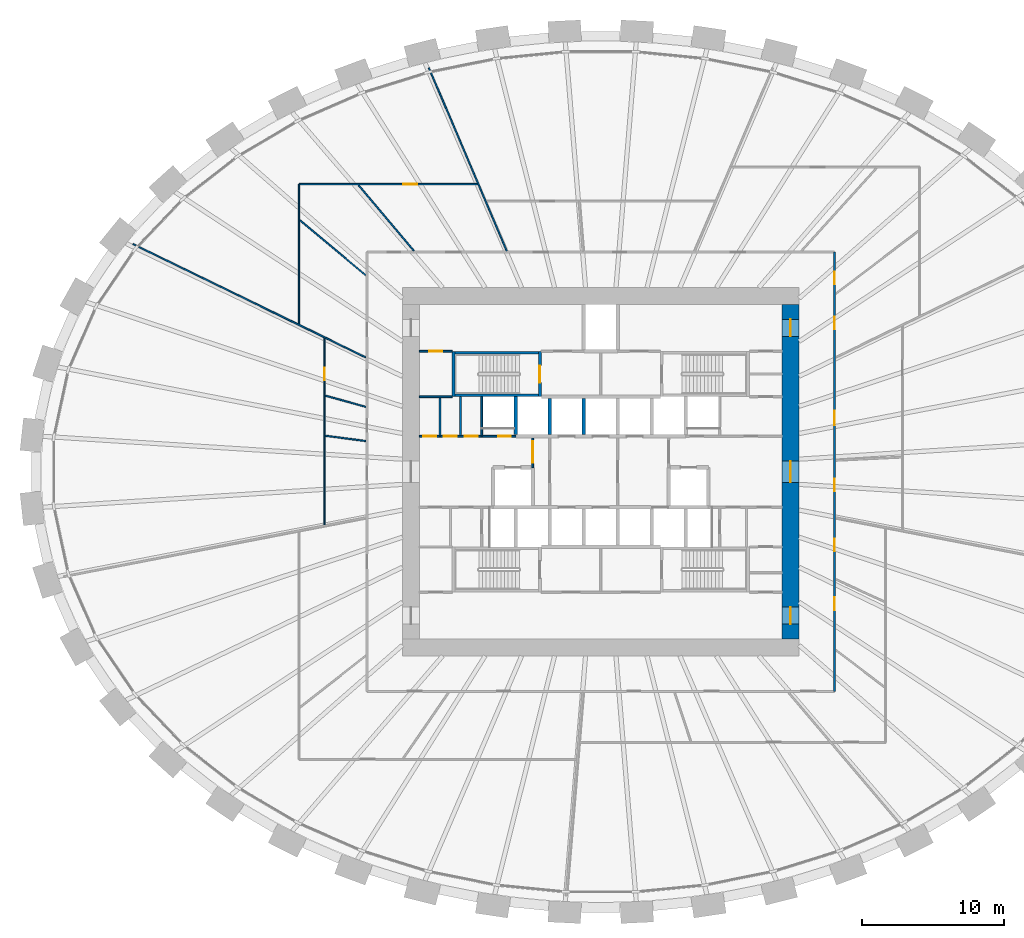
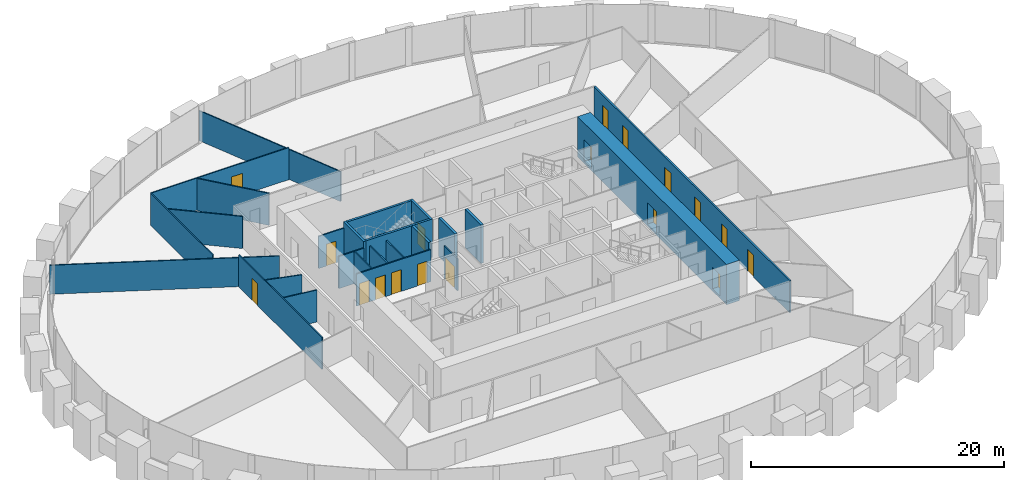
# One storey, part 8 of 11: 25 walls, 18 doors, 18 openings.
"""IFC4 building model written with IfcOpenShell, lengths in metres."""

from ifc_helpers import new_model, si_unit, direction, frame, frame_2d, origin, place, context, subcontext, project, spatial, rectangle, extrude, source, transform, mapped, material, layer, layer_set, type_object, element, fill, save


model = new_model("IFC4")

# Units and contexts
model_context = context("Model", 3, precision=1e-05, world=origin(), true_north=direction((0.0, 1.0)))
body_context = subcontext(model_context, "Body", "Model", "MODEL_VIEW")
ifc_project = project(units=[si_unit("LENGTHUNIT", "METRE"), si_unit("AREAUNIT", "SQUARE_METRE"), si_unit("VOLUMEUNIT", "CUBIC_METRE"), si_unit("PLANEANGLEUNIT", "RADIAN"), si_unit("MASSUNIT", "GRAM", prefix="KILO")], contexts=[model_context])

# Site, building, storey
site_placement = place(None, origin())
site = spatial("IfcSite", under=ifc_project, at=site_placement, CompositionType="ELEMENT")
building_placement = place(site_placement, origin())
building = spatial("IfcBuilding", under=site, at=building_placement, Name="Embergate Tower", CompositionType="ELEMENT")
storey_placement = place(building_placement, frame((0.0, 0.0, 113.300048828125)))
storey = spatial("IfcBuildingStorey", under=building, at=storey_placement, Name="L24", CompositionType="ELEMENT", Elevation=113.300048828125)

# Wall, openings, doors
ifc_material_1 = material(Name="Concrete C80", Category="concrete")
ifc_layer_1 = layer(ifc_material_1, 1.199951171875)
ifc_layer_set_1 = layer_set([ifc_layer_1], Name="Concrete C80")
wall_type_1 = type_object("IfcWallType", Name="Core outer wall C80 1200", PredefinedType="SHEAR", material=ifc_layer_set_1)
shared_shape_1 = source(origin(), body_context, "Body", "SweptSolid", [
    extrude(rectangle(XDim=23.60009765625, YDim=1.199951171875, at=frame_2d((11.800048828125, 0.0))), origin(), (0.0, 0.0, 1.0), 3.89990234375),
])
wall_1_placement = place(storey_placement, frame((13.39990234375, -11.800048828125, -0.199951171875), z_axis=(0.0, 0.0, 1.0), x_axis=(0.0, 1.0, 0.0)))
wall_1 = element("IfcWall", 1, at=wall_1_placement, inside=storey, type_object=wall_type_1, Name="CW-L24-E", PredefinedType="SHEAR", context=body_context, shape_type="MappedRepresentation", body=[
    mapped(shared_shape_1, transform((0.0, 0.0, 0.0))),
])
shared_shape_2 = source(origin(), body_context, "Body", "SweptSolid", [
    extrude(rectangle(XDim=1.199951171875, YDim=2.10009765625, at=frame_2d((0.60009765625, 1.050048828125))), frame((0.0, 0.60986328125, 0.0), z_axis=(0.0, -1.0, 0.0), x_axis=(1.0, 0.0, 0.0)), (0.0, 0.0, 1.0), 1.219970703125),
])
opening_1_placement = place(wall_1_placement, frame((21.35009765625, 0.0, 0.199951171875)))
opening_1 = element("IfcOpeningElement", 2, at=opening_1_placement, cuts=wall_1, Name="Opening IF-1", PredefinedType="OPENING", context=body_context, shape_type="MappedRepresentation", body=[
    mapped(shared_shape_2, transform((0.0, 0.0, 0.0))),
])
opening_2_placement = place(wall_1_placement, frame((1.050048828125, 0.0, 0.199951171875)))
opening_2 = element("IfcOpeningElement", 3, at=opening_2_placement, cuts=wall_1, Name="Opening IF-1", PredefinedType="OPENING", context=body_context, shape_type="MappedRepresentation", body=[
    mapped(shared_shape_2, transform((0.0, 0.0, 0.0))),
])
shared_shape_3 = source(origin(), body_context, "Body", "SweptSolid", [
    extrude(rectangle(XDim=1.5, YDim=2.10009765625, at=frame_2d((0.75, 1.050048828125))), frame((0.0, 0.60986328125, 0.0), z_axis=(0.0, -1.0, 0.0), x_axis=(1.0, 0.0, 0.0)), (0.0, 0.0, 1.0), 1.219970703125),
])
opening_3_placement = place(wall_1_placement, frame((11.050048828125, 0.0, 0.199951171875)))
opening_3 = element("IfcOpeningElement", 4, at=opening_3_placement, cuts=wall_1, Name="Opening IF-3", PredefinedType="OPENING", context=body_context, shape_type="MappedRepresentation", body=[
    mapped(shared_shape_3, transform((0.0, 0.0, 0.0))),
])
ifc_material_2 = material(Name="Escape fire door 1200")
door_type_1 = type_object("IfcDoorType", Name="Escape fire door 1200", OperationType="SINGLE_SWING_LEFT", PredefinedType="DOOR", material=ifc_material_2)
shared_shape_4 = source(origin(), body_context, "Body", "SweptSolid", [
    extrude(rectangle(XDim=1.199951171875, YDim=2.10009765625, at=frame_2d((0.60009765625, 1.050048828125))), frame((0.0, 0.02490234375, 0.0), z_axis=(0.0, -1.0, 0.0), x_axis=(1.0, 0.0, 0.0)), (0.0, 0.0, 1.0), 0.050048828125),
])
door_1_placement = place(opening_1_placement, origin())
door_1 = element("IfcDoor", 5, at=door_1_placement, inside=storey, type_object=door_type_1, Name="IF-1 door", OperationType="SINGLE_SWING_RIGHT", OverallHeight=2.10009765625, OverallWidth=1.199951171875, PredefinedType="DOOR", context=body_context, shape_type="MappedRepresentation", body=[
    mapped(shared_shape_4, transform((0.0, 0.0, 0.0))),
])
fill(opening_1, door_1)
door_2_placement = place(opening_2_placement, origin())
door_2 = element("IfcDoor", 6, at=door_2_placement, inside=storey, type_object=door_type_1, Name="IF-1 door", OperationType="SINGLE_SWING_LEFT", OverallHeight=2.10009765625, OverallWidth=1.199951171875, PredefinedType="DOOR", context=body_context, shape_type="MappedRepresentation", body=[
    mapped(shared_shape_4, transform((0.0, 0.0, 0.0))),
])
fill(opening_2, door_2)
ifc_material_3 = material(Name="Lobby fire door pair 1500")
door_type_2 = type_object("IfcDoorType", Name="Lobby fire door pair 1500", OperationType="DOUBLE_DOOR_SINGLE_SWING", PredefinedType="DOOR", material=ifc_material_3)
shared_shape_5 = source(origin(), body_context, "Body", "SweptSolid", [
    extrude(rectangle(XDim=1.5, YDim=2.10009765625, at=frame_2d((0.75, 1.050048828125))), frame((0.0, 0.02490234375, 0.0), z_axis=(0.0, -1.0, 0.0), x_axis=(1.0, 0.0, 0.0)), (0.0, 0.0, 1.0), 0.050048828125),
])
door_3_placement = place(opening_3_placement, origin())
door_3 = element("IfcDoor", 7, at=door_3_placement, inside=storey, type_object=door_type_2, Name="IF-3 door", OperationType="DOUBLE_DOOR_SINGLE_SWING", OverallHeight=2.10009765625, OverallWidth=1.5, PredefinedType="DOOR", context=body_context, shape_type="MappedRepresentation", body=[
    mapped(shared_shape_5, transform((0.0, 0.0, 0.0))),
])
fill(opening_3, door_3)

# Walls
ifc_material_4 = material(Name="Concrete C50", Category="concrete")
ifc_layer_2 = layer(ifc_material_4, 0.25)
ifc_layer_set_2 = layer_set([ifc_layer_2], Name="Concrete C50")
wall_type_2 = type_object("IfcWallType", Name="Hoistway wall reinforced concrete 250", PredefinedType="SHEAR", material=ifc_layer_set_2)
shared_shape_6 = source(origin(), body_context, "Body", "SweptSolid", [
    extrude(rectangle(XDim=2.675048828125, YDim=0.25, at=frame_2d((1.33740234375, 0.0))), origin(), (0.0, 0.0, 1.0), 3.699951171875),
])
wall_2_placement = place(storey_placement, frame((-6.0, 2.625, 0.0), z_axis=(0.0, 0.0, 1.0), x_axis=(0.0, 1.0, 0.0)))
element("IfcWall", 8, at=wall_2_placement, inside=storey, type_object=wall_type_2, Name="HW-1 wall", PredefinedType="SHEAR", context=body_context, shape_type="MappedRepresentation", body=[
    mapped(shared_shape_6, transform((0.0, 0.0, 0.0))),
])
ifc_layer_3 = layer(ifc_material_4, 0.199951171875)
ifc_layer_set_3 = layer_set([ifc_layer_3], Name="Concrete C50")
wall_type_3 = type_object("IfcWallType", Name="Stair enclosure wall reinforced concrete 250", PredefinedType="SHEAR", material=ifc_layer_set_3)
shared_shape_7 = source(origin(), body_context, "Body", "SweptSolid", [
    extrude(rectangle(XDim=6.300048828125, YDim=0.199951171875, at=frame_2d((3.14990234375, 0.0))), origin(), (0.0, 0.0, 1.0), 3.699951171875),
])
for number, where, z_axis, x_axis, name in (
    (9, (-4.199951171875, 5.39990234375, 0.0), (0.0, 0.0, 1.0), (-1.0, 0.0, 0.0), "SE-1 wall"),
    (10, (-4.199951171875, 8.39990234375, 0.0), (0.0, 0.0, 1.0), (-1.0, 0.0, 0.0), "SE-1 wall"),
):
    element("IfcWall", number, at=place(storey_placement, frame(where, z_axis=z_axis, x_axis=x_axis)), inside=storey, type_object=wall_type_3, Name=name, PredefinedType="SHEAR", context=body_context, shape_type="MappedRepresentation", body=[
        mapped(shared_shape_7, transform((0.0, 0.0, 0.0))),
    ])
shared_shape_8 = source(origin(), body_context, "Body", "SweptSolid", [
    extrude(rectangle(XDim=2.550048828125, YDim=0.25, at=frame_2d((1.27490234375, 0.0))), origin(), (0.0, 0.0, 1.0), 3.699951171875),
])
for number, where, z_axis, x_axis, name in (
    (11, (-3.60009765625, 2.625, 0.0), (0.0, 0.0, 1.0), (0.0, 1.0, 0.0), "HW-1 wall"),
    (12, (-1.199951171875, 2.625, 0.0), (0.0, 0.0, 1.0), (0.0, 1.0, 0.0), "HW-1 wall"),
):
    element("IfcWall", number, at=place(storey_placement, frame(where, z_axis=z_axis, x_axis=x_axis)), inside=storey, type_object=wall_type_2, Name=name, PredefinedType="SHEAR", context=body_context, shape_type="MappedRepresentation", body=[
        mapped(shared_shape_8, transform((0.0, 0.0, 0.0))),
    ])

# Wall, opening, door
shared_shape_9 = source(origin(), body_context, "Body", "SweptSolid", [
    extrude(rectangle(XDim=3.199951171875, YDim=0.199951171875, at=frame_2d((1.60009765625, 0.0))), origin(), (0.0, 0.0, 1.0), 3.699951171875),
])
wall_3_placement = place(storey_placement, frame((-4.300048828125, 5.300048828125, 0.0), z_axis=(0.0, 0.0, 1.0), x_axis=(0.0, 1.0, 0.0)))
wall_3 = element("IfcWall", 13, at=wall_3_placement, inside=storey, type_object=wall_type_3, Name="SE-1 wall", PredefinedType="SHEAR", context=body_context, shape_type="MappedRepresentation", body=[
    mapped(shared_shape_9, transform((0.0, 0.0, 0.0))),
])
shared_shape_10 = source(origin(), body_context, "Body", "SweptSolid", [
    extrude(rectangle(XDim=1.199951171875, YDim=2.10009765625, at=frame_2d((0.60009765625, 1.050048828125))), frame((0.0, 0.10986328125, 0.0), z_axis=(0.0, -1.0, 0.0), x_axis=(1.0, 0.0, 0.0)), (0.0, 0.0, 1.0), 0.219970703125),
])
opening_4_placement = place(wall_3_placement, frame((1.0, 0.0, 0.0)))
opening_4 = element("IfcOpeningElement", 14, at=opening_4_placement, cuts=wall_3, Name="Opening IF-2", PredefinedType="OPENING", context=body_context, shape_type="MappedRepresentation", body=[
    mapped(shared_shape_10, transform((0.0, 0.0, 0.0))),
])
ifc_material_5 = material(Name="Stair enclosure door 1200")
door_type_3 = type_object("IfcDoorType", Name="Stair enclosure door 1200", OperationType="SINGLE_SWING_LEFT", PredefinedType="DOOR", material=ifc_material_5)
door_4_placement = place(opening_4_placement, origin())
door_4 = element("IfcDoor", 15, at=door_4_placement, inside=storey, type_object=door_type_3, Name="IF-2 door", OperationType="SINGLE_SWING_LEFT", OverallHeight=2.10009765625, OverallWidth=1.199951171875, PredefinedType="DOOR", context=body_context, shape_type="MappedRepresentation", body=[
    mapped(shared_shape_4, transform((0.0, 0.0, 0.0))),
])
fill(opening_4, door_4)

# Wall
wall_4_placement = place(storey_placement, frame((-10.39990234375, 8.5, 0.0), z_axis=(0.0, 0.0, 1.0), x_axis=(0.0, -1.0, 0.0)))
element("IfcWall", 16, at=wall_4_placement, inside=storey, type_object=wall_type_3, Name="SE-1 wall", PredefinedType="SHEAR", context=body_context, shape_type="MappedRepresentation", body=[
    mapped(shared_shape_9, transform((0.0, 0.0, 0.0))),
])

# Wall, openings, doors
ifc_material_6 = material(Name="Core partition blockwork 120")
ifc_layer_4 = layer(ifc_material_6, 0.1201171875)
ifc_layer_set_4 = layer_set([ifc_layer_4], Name="Core partition blockwork 120")
wall_type_4 = type_object("IfcWallType", Name="Core partition blockwork 120", PredefinedType="PARTITIONING", material=ifc_layer_set_4)
shared_shape_11 = source(origin(), body_context, "Body", "SweptSolid", [
    extrude(rectangle(XDim=6.800048828125, YDim=0.1201171875, at=frame_2d((3.39990234375, 0.0))), origin(), (0.0, 0.0, 1.0), 3.099853515625),
])
wall_5_placement = place(storey_placement, frame((-12.800048828125, 2.5, 0.0), z_axis=(0.0, 0.0, 1.0), x_axis=(1.0, 0.0, 0.0)))
wall_5 = element("IfcWall", 17, at=wall_5_placement, inside=storey, type_object=wall_type_4, Name="IP-3 wall", PredefinedType="PARTITIONING", context=body_context, shape_type="MappedRepresentation", body=[
    mapped(shared_shape_11, transform((0.0, 0.0, 0.0))),
])
shared_shape_12 = source(origin(), body_context, "Body", "SweptSolid", [
    extrude(rectangle(XDim=0.89990234375, YDim=2.10009765625, at=frame_2d((0.449951171875, 1.050048828125))), frame((0.0, 0.070068359375, 0.0), z_axis=(0.0, -1.0, 0.0), x_axis=(1.0, 0.0, 0.0)), (0.0, 0.0, 1.0), 0.14013671875),
])
opening_5_placement = place(wall_5_placement, frame((5.550048828125, 0.0, 0.0)))
opening_5 = element("IfcOpeningElement", 18, at=opening_5_placement, cuts=wall_5, Name="Opening ID-1", PredefinedType="OPENING", context=body_context, shape_type="MappedRepresentation", body=[
    mapped(shared_shape_12, transform((0.0, 0.0, 0.0))),
])
opening_6_placement = place(wall_5_placement, frame((0.27587890625, 0.0, 0.0)))
opening_6 = element("IfcOpeningElement", 19, at=opening_6_placement, cuts=wall_5, Name="Opening ID-1", PredefinedType="OPENING", context=body_context, shape_type="MappedRepresentation", body=[
    mapped(shared_shape_12, transform((0.0, 0.0, 0.0))),
])
opening_7_placement = place(wall_5_placement, frame((1.72802734375, 0.0, 0.0)))
opening_7 = element("IfcOpeningElement", 20, at=opening_7_placement, cuts=wall_5, Name="Opening ID-1", PredefinedType="OPENING", context=body_context, shape_type="MappedRepresentation", body=[
    mapped(shared_shape_12, transform((0.0, 0.0, 0.0))),
])
opening_8_placement = place(wall_5_placement, frame((3.201904296875, 0.0, 0.0)))
opening_8 = element("IfcOpeningElement", 21, at=opening_8_placement, cuts=wall_5, Name="Opening ID-1", PredefinedType="OPENING", context=body_context, shape_type="MappedRepresentation", body=[
    mapped(shared_shape_12, transform((0.0, 0.0, 0.0))),
])
ifc_material_7 = material(Name="Interior door 900")
door_type_4 = type_object("IfcDoorType", Name="Interior door 900", OperationType="SINGLE_SWING_LEFT", PredefinedType="DOOR", material=ifc_material_7)
shared_shape_13 = source(origin(), body_context, "Body", "SweptSolid", [
    extrude(rectangle(XDim=0.89990234375, YDim=2.10009765625, at=frame_2d((0.449951171875, 1.050048828125))), frame((0.0, 0.02490234375, 0.0), z_axis=(0.0, -1.0, 0.0), x_axis=(1.0, 0.0, 0.0)), (0.0, 0.0, 1.0), 0.050048828125),
])
door_5_placement = place(opening_5_placement, origin())
door_5 = element("IfcDoor", 22, at=door_5_placement, inside=storey, type_object=door_type_4, Name="ID-1 door", OperationType="SINGLE_SWING_LEFT", OverallHeight=2.10009765625, OverallWidth=0.89990234375, PredefinedType="DOOR", context=body_context, shape_type="MappedRepresentation", body=[
    mapped(shared_shape_13, transform((0.0, 0.0, 0.0))),
])
fill(opening_5, door_5)
door_6_placement = place(opening_6_placement, origin())
door_6 = element("IfcDoor", 23, at=door_6_placement, inside=storey, type_object=door_type_4, Name="ID-1 door", OperationType="SINGLE_SWING_LEFT", OverallHeight=2.10009765625, OverallWidth=0.89990234375, PredefinedType="DOOR", context=body_context, shape_type="MappedRepresentation", body=[
    mapped(shared_shape_13, transform((0.0, 0.0, 0.0))),
])
fill(opening_6, door_6)
door_7_placement = place(opening_7_placement, origin())
door_7 = element("IfcDoor", 24, at=door_7_placement, inside=storey, type_object=door_type_4, Name="ID-1 door", OperationType="SINGLE_SWING_RIGHT", OverallHeight=2.10009765625, OverallWidth=0.89990234375, PredefinedType="DOOR", context=body_context, shape_type="MappedRepresentation", body=[
    mapped(shared_shape_13, transform((0.0, 0.0, 0.0))),
])
fill(opening_7, door_7)
door_8_placement = place(opening_8_placement, origin())
door_8 = element("IfcDoor", 25, at=door_8_placement, inside=storey, type_object=door_type_4, Name="ID-1 door", OperationType="SINGLE_SWING_RIGHT", OverallHeight=2.10009765625, OverallWidth=0.89990234375, PredefinedType="DOOR", context=body_context, shape_type="MappedRepresentation", body=[
    mapped(shared_shape_13, transform((0.0, 0.0, 0.0))),
])
fill(opening_8, door_8)

# Walls
shared_shape_14 = source(origin(), body_context, "Body", "SweptSolid", [
    extrude(rectangle(XDim=2.739990234375, YDim=0.1201171875, at=frame_2d((1.3701171875, 0.0))), origin(), (0.0, 0.0, 1.0), 3.099853515625),
])
for number, where, z_axis, x_axis, name in (
    (26, (-8.39990234375, 5.300048828125, 0.0), (0.0, 0.0, 1.0), (0.0, -1.0, 0.0), "IP-3 wall"),
    (27, (-9.89599609375, 2.56005859375, 0.0), (0.0, 0.0, 1.0), (0.0, 1.0, 0.0), "IP-3 wall"),
):
    element("IfcWall", number, at=place(storey_placement, frame(where, z_axis=z_axis, x_axis=x_axis)), inside=storey, type_object=wall_type_4, Name=name, PredefinedType="PARTITIONING", context=body_context, shape_type="MappedRepresentation", body=[
        mapped(shared_shape_14, transform((0.0, 0.0, 0.0))),
    ])

# Wall, opening, door
shared_shape_15 = source(origin(), body_context, "Body", "SweptSolid", [
    extrude(rectangle(XDim=2.074951171875, YDim=0.1201171875, at=frame_2d((1.03759765625, 0.0))), origin(), (0.0, 0.0, 1.0), 3.099853515625),
])
wall_6_placement = place(storey_placement, frame((-4.800048828125, 2.375, 0.0), z_axis=(0.0, 0.0, 1.0), x_axis=(0.0, -1.0, 0.0)))
wall_6 = element("IfcWall", 28, at=wall_6_placement, inside=storey, type_object=wall_type_4, Name="IP-3 wall", PredefinedType="PARTITIONING", context=body_context, shape_type="MappedRepresentation", body=[
    mapped(shared_shape_15, transform((0.0, 0.0, 0.0))),
])
shared_shape_16 = source(origin(), body_context, "Body", "SweptSolid", [
    extrude(rectangle(XDim=1.5, YDim=2.10009765625, at=frame_2d((0.75, 1.050048828125))), frame((0.0, 0.070068359375, 0.0), z_axis=(0.0, -1.0, 0.0), x_axis=(1.0, 0.0, 0.0)), (0.0, 0.0, 1.0), 0.14013671875),
])
opening_9_placement = place(wall_6_placement, frame((0.22509765625, 0.0, 0.0)))
opening_9 = element("IfcOpeningElement", 29, at=opening_9_placement, cuts=wall_6, Name="Opening IF-3", PredefinedType="OPENING", context=body_context, shape_type="MappedRepresentation", body=[
    mapped(shared_shape_16, transform((0.0, 0.0, 0.0))),
])
door_9_placement = place(opening_9_placement, origin())
door_9 = element("IfcDoor", 30, at=door_9_placement, inside=storey, type_object=door_type_2, Name="IF-3 door", OperationType="DOUBLE_DOOR_SINGLE_SWING", OverallHeight=2.10009765625, OverallWidth=1.5, PredefinedType="DOOR", context=body_context, shape_type="MappedRepresentation", body=[
    mapped(shared_shape_5, transform((0.0, 0.0, 0.0))),
])
fill(opening_9, door_9)

shared_shape_17 = source(origin(), body_context, "Body", "SweptSolid", [
    extrude(rectangle(XDim=2.300048828125, YDim=0.1201171875, at=frame_2d((1.14990234375, 0.0))), origin(), (0.0, 0.0, 1.0), 3.099853515625),
])
wall_7_placement = place(storey_placement, frame((-12.800048828125, 8.5, 0.0), z_axis=(0.0, 0.0, 1.0), x_axis=(1.0, 0.0, 0.0)))
wall_7 = element("IfcWall", 31, at=wall_7_placement, inside=storey, type_object=wall_type_4, Name="IP-3 wall", PredefinedType="PARTITIONING", context=body_context, shape_type="MappedRepresentation", body=[
    mapped(shared_shape_17, transform((0.0, 0.0, 0.0))),
])
opening_10_placement = place(wall_7_placement, frame((0.699951171875, 0.0, 0.0)))
opening_10 = element("IfcOpeningElement", 32, at=opening_10_placement, cuts=wall_7, Name="Opening ID-1", PredefinedType="OPENING", context=body_context, shape_type="MappedRepresentation", body=[
    mapped(shared_shape_12, transform((0.0, 0.0, 0.0))),
])
door_10_placement = place(opening_10_placement, origin())
door_10 = element("IfcDoor", 33, at=door_10_placement, inside=storey, type_object=door_type_4, Name="ID-1 door", OperationType="SINGLE_SWING_RIGHT", OverallHeight=2.10009765625, OverallWidth=0.89990234375, PredefinedType="DOOR", context=body_context, shape_type="MappedRepresentation", body=[
    mapped(shared_shape_13, transform((0.0, 0.0, 0.0))),
])
fill(opening_10, door_10)

# Walls
wall_8_placement = place(storey_placement, frame((-10.5, 5.300048828125, 0.0), z_axis=(0.0, 0.0, 1.0), x_axis=(-1.0, 0.0, 0.0)))
element("IfcWall", 34, at=wall_8_placement, inside=storey, type_object=wall_type_4, Name="IP-3 wall", PredefinedType="PARTITIONING", context=body_context, shape_type="MappedRepresentation", body=[
    mapped(shared_shape_17, transform((0.0, 0.0, 0.0))),
])
shared_shape_18 = source(origin(), body_context, "Body", "SweptSolid", [
    extrude(rectangle(XDim=2.679931640625, YDim=0.1201171875, at=frame_2d((1.33984375, 0.0))), origin(), (0.0, 0.0, 1.0), 3.099853515625),
])
wall_9_placement = place(storey_placement, frame((-11.347900390625, 2.56005859375, 0.0), z_axis=(0.0, 0.0, 1.0), x_axis=(0.0, 1.0, 0.0)))
element("IfcWall", 35, at=wall_9_placement, inside=storey, type_object=wall_type_4, Name="IP-3 wall", PredefinedType="PARTITIONING", context=body_context, shape_type="MappedRepresentation", body=[
    mapped(shared_shape_18, transform((0.0, 0.0, 0.0))),
])
ifc_material_8 = material(Name="Partition dry-lined 100 wet")
ifc_layer_5 = layer(ifc_material_8, 0.10009765625)
ifc_layer_set_5 = layer_set([ifc_layer_5], Name="Partition dry-lined 100 wet")
wall_type_5 = type_object("IfcWallType", Name="Partition dry-lined 100 wet", PredefinedType="PLUMBINGWALL", material=ifc_layer_set_5)
shared_shape_19 = source(origin(), body_context, "Body", "SweptSolid", [
    extrude(rectangle(XDim=18.260986328125, YDim=0.10009765625, at=frame_2d((9.13037109375, 0.0))), origin(), (0.0, 0.0, 1.0), 2.800048828125),
])
wall_10_placement = place(storey_placement, frame((-33.01611328125, 16.070068359375, 0.0), z_axis=(0.0, 0.0, 1.0), x_axis=(0.89913869284, -0.437663810519, 0.0)))
element("IfcWall", 36, at=wall_10_placement, inside=storey, type_object=wall_type_5, Name="IP-1 wall", PredefinedType="PLUMBINGWALL", context=body_context, shape_type="MappedRepresentation", body=[
    mapped(shared_shape_19, transform((0.0, 0.0, 0.0))),
])
ifc_material_9 = material(Name="Partition dry-lined 100")
ifc_layer_6 = layer(ifc_material_9, 0.10009765625)
ifc_layer_set_6 = layer_set([ifc_layer_6], Name="Partition dry-lined 100")
wall_type_6 = type_object("IfcWallType", Name="Partition dry-lined 100", PredefinedType="PARTITIONING", material=ifc_layer_set_6)
shared_shape_20 = source(origin(), body_context, "Body", "SweptSolid", [
    extrude(rectangle(XDim=14.038818359375, YDim=0.10009765625, at=frame_2d((7.01953125, 0.0))), origin(), (0.0, 0.0, 1.0), 2.89990234375),
])
wall_11_placement = place(storey_placement, frame((-12.133056640625, 28.512939453125, 0.0), z_axis=(0.0, 0.0, 1.0), x_axis=(0.391558923428, -0.920153035904, 0.0)))
element("IfcWall", 37, at=wall_11_placement, inside=storey, type_object=wall_type_6, Name="IP-1 wall", PredefinedType="PARTITIONING", context=body_context, shape_type="MappedRepresentation", body=[
    mapped(shared_shape_20, transform((0.0, 0.0, 0.0))),
])

# Wall, openings, doors
ifc_material_10 = material(Name="Corridor wall dry-lined 150")
ifc_layer_7 = layer(ifc_material_10, 0.14990234375)
ifc_layer_set_7 = layer_set([ifc_layer_7], Name="Corridor wall dry-lined 150")
wall_type_7 = type_object("IfcWallType", Name="Corridor wall dry-lined 150", PredefinedType="PARTITIONING", material=ifc_layer_set_7)
shared_shape_21 = source(origin(), body_context, "Body", "SweptSolid", [
    extrude(rectangle(XDim=31.0, YDim=0.14990234375, at=frame_2d((15.5, 0.0))), origin(), (0.0, 0.0, 1.0), 3.099853515625),
])
wall_12_placement = place(storey_placement, frame((16.5, 15.5, 0.0), z_axis=(0.0, 0.0, 1.0), x_axis=(0.0, -1.0, 0.0)))
wall_12 = element("IfcWall", 38, at=wall_12_placement, inside=storey, type_object=wall_type_7, Name="IP-2 wall", PredefinedType="PARTITIONING", context=body_context, shape_type="MappedRepresentation", body=[
    mapped(shared_shape_21, transform((0.0, 0.0, 0.0))),
])
shared_shape_22 = source(origin(), body_context, "Body", "SweptSolid", [
    extrude(rectangle(XDim=0.89990234375, YDim=2.10009765625, at=frame_2d((0.449951171875, 1.050048828125))), frame((0.0, 0.0849609375, 0.0), z_axis=(0.0, -1.0, 0.0), x_axis=(1.0, 0.0, 0.0)), (0.0, 0.0, 1.0), 0.169921875),
])
opening_11_placement = place(wall_12_placement, frame((24.35888671875, 0.0, 0.0)))
opening_11 = element("IfcOpeningElement", 39, at=opening_11_placement, cuts=wall_12, Name="Opening IF-1c", PredefinedType="OPENING", context=body_context, shape_type="MappedRepresentation", body=[
    mapped(shared_shape_22, transform((0.0, 0.0, 0.0))),
])
opening_12_placement = place(wall_12_placement, frame((20.212890625, 0.0, 0.0)))
opening_12 = element("IfcOpeningElement", 40, at=opening_12_placement, cuts=wall_12, Name="Opening IF-1c", PredefinedType="OPENING", context=body_context, shape_type="MappedRepresentation", body=[
    mapped(shared_shape_22, transform((0.0, 0.0, 0.0))),
])
opening_13_placement = place(wall_12_placement, frame((15.98388671875, 0.0, 0.0)))
opening_13 = element("IfcOpeningElement", 41, at=opening_13_placement, cuts=wall_12, Name="Opening IF-1c", PredefinedType="OPENING", context=body_context, shape_type="MappedRepresentation", body=[
    mapped(shared_shape_22, transform((0.0, 0.0, 0.0))),
])
shared_shape_23 = source(origin(), body_context, "Body", "SweptSolid", [
    extrude(rectangle(XDim=1.0, YDim=2.10009765625, at=frame_2d((0.5, 1.050048828125))), frame((0.0, 0.0849609375, 0.0), z_axis=(0.0, -1.0, 0.0), x_axis=(1.0, 0.0, 0.0)), (0.0, 0.0, 1.0), 0.169921875),
])
opening_14_placement = place(wall_12_placement, frame((11.202880859375, 0.0, 0.0)))
opening_14 = element("IfcOpeningElement", 42, at=opening_14_placement, cuts=wall_12, Name="Opening ID-2", PredefinedType="OPENING", context=body_context, shape_type="MappedRepresentation", body=[
    mapped(shared_shape_23, transform((0.0, 0.0, 0.0))),
])
opening_15_placement = place(wall_12_placement, frame((4.547119140625, 0.0, 0.0)))
opening_15 = element("IfcOpeningElement", 43, at=opening_15_placement, cuts=wall_12, Name="Opening IF-1c", PredefinedType="OPENING", context=body_context, shape_type="MappedRepresentation", body=[
    mapped(shared_shape_22, transform((0.0, 0.0, 0.0))),
])
opening_16_placement = place(wall_12_placement, frame((1.365966796875, 0.0, 0.0)))
opening_16 = element("IfcOpeningElement", 44, at=opening_16_placement, cuts=wall_12, Name="Opening IF-1c", PredefinedType="OPENING", context=body_context, shape_type="MappedRepresentation", body=[
    mapped(shared_shape_22, transform((0.0, 0.0, 0.0))),
])
ifc_material_11 = material(Name="Escape fire door 900")
door_type_5 = type_object("IfcDoorType", Name="Escape fire door 900", OperationType="SINGLE_SWING_LEFT", PredefinedType="DOOR", material=ifc_material_11)
door_11_placement = place(opening_11_placement, origin())
door_11 = element("IfcDoor", 45, at=door_11_placement, inside=storey, type_object=door_type_5, Name="IF-1 door", OperationType="SINGLE_SWING_RIGHT", OverallHeight=2.10009765625, OverallWidth=0.89990234375, PredefinedType="DOOR", context=body_context, shape_type="MappedRepresentation", body=[
    mapped(shared_shape_13, transform((0.0, 0.0, 0.0))),
])
fill(opening_11, door_11)
door_12_placement = place(opening_12_placement, origin())
door_12 = element("IfcDoor", 46, at=door_12_placement, inside=storey, type_object=door_type_5, Name="IF-1 door", OperationType="SINGLE_SWING_RIGHT", OverallHeight=2.10009765625, OverallWidth=0.89990234375, PredefinedType="DOOR", context=body_context, shape_type="MappedRepresentation", body=[
    mapped(shared_shape_13, transform((0.0, 0.0, 0.0))),
])
fill(opening_12, door_12)
door_13_placement = place(opening_13_placement, origin())
door_13 = element("IfcDoor", 47, at=door_13_placement, inside=storey, type_object=door_type_5, Name="IF-1 door", OperationType="SINGLE_SWING_RIGHT", OverallHeight=2.10009765625, OverallWidth=0.89990234375, PredefinedType="DOOR", context=body_context, shape_type="MappedRepresentation", body=[
    mapped(shared_shape_13, transform((0.0, 0.0, 0.0))),
])
fill(opening_13, door_13)
door_14_placement = place(opening_15_placement, origin())
door_14 = element("IfcDoor", 48, at=door_14_placement, inside=storey, type_object=door_type_5, Name="IF-1 door", OperationType="SINGLE_SWING_LEFT", OverallHeight=2.10009765625, OverallWidth=0.89990234375, PredefinedType="DOOR", context=body_context, shape_type="MappedRepresentation", body=[
    mapped(shared_shape_13, transform((0.0, 0.0, 0.0))),
])
fill(opening_15, door_14)
door_15_placement = place(opening_16_placement, origin())
door_15 = element("IfcDoor", 49, at=door_15_placement, inside=storey, type_object=door_type_5, Name="IF-1 door", OperationType="SINGLE_SWING_LEFT", OverallHeight=2.10009765625, OverallWidth=0.89990234375, PredefinedType="DOOR", context=body_context, shape_type="MappedRepresentation", body=[
    mapped(shared_shape_13, transform((0.0, 0.0, 0.0))),
])
fill(opening_16, door_15)
ifc_material_12 = material(Name="Interior door 1000")
door_type_6 = type_object("IfcDoorType", Name="Interior door 1000", OperationType="SINGLE_SWING_LEFT", PredefinedType="DOOR", material=ifc_material_12)
shared_shape_24 = source(origin(), body_context, "Body", "SweptSolid", [
    extrude(rectangle(XDim=1.0, YDim=2.10009765625, at=frame_2d((0.5, 1.050048828125))), frame((0.0, 0.02490234375, 0.0), z_axis=(0.0, -1.0, 0.0), x_axis=(1.0, 0.0, 0.0)), (0.0, 0.0, 1.0), 0.050048828125),
])
door_16_placement = place(opening_14_placement, origin())
door_16 = element("IfcDoor", 50, at=door_16_placement, inside=storey, type_object=door_type_6, Name="ID-2 door", OperationType="SINGLE_SWING_LEFT", OverallHeight=2.10009765625, OverallWidth=1.0, PredefinedType="DOOR", context=body_context, shape_type="MappedRepresentation", body=[
    mapped(shared_shape_24, transform((0.0, 0.0, 0.0))),
])
fill(opening_14, door_16)

# Wall
shared_shape_25 = source(origin(), body_context, "Body", "SweptSolid", [
    extrude(rectangle(XDim=6.037841796875, YDim=0.10009765625, at=frame_2d((3.01904296875, 0.0))), origin(), (0.0, 0.0, 1.0), 3.099853515625),
])
wall_13_placement = place(storey_placement, frame((-13.195068359375, 15.60693359375, 0.0), z_axis=(0.0, 0.0, 1.0), x_axis=(-0.645581463366, 0.763691412914, 0.0)))
element("IfcWall", 51, at=wall_13_placement, inside=storey, type_object=wall_type_6, Name="IP-1 wall", PredefinedType="PARTITIONING", context=body_context, shape_type="MappedRepresentation", body=[
    mapped(shared_shape_25, transform((0.0, 0.0, 0.0))),
])

# Wall, opening, door
shared_shape_26 = source(origin(), body_context, "Body", "SweptSolid", [
    extrude(rectangle(XDim=12.5859375, YDim=0.10009765625, at=frame_2d((6.29296875, 0.0))), origin(), (0.0, 0.0, 1.0), 3.099853515625),
])
wall_14_placement = place(storey_placement, frame((-21.300048828125, 20.300048828125, 0.0), z_axis=(0.0, 0.0, 1.0), x_axis=(1.0, 0.0, 0.0)))
wall_14 = element("IfcWall", 52, at=wall_14_placement, inside=storey, type_object=wall_type_6, Name="IP-1 wall", PredefinedType="PARTITIONING", context=body_context, shape_type="MappedRepresentation", body=[
    mapped(shared_shape_26, transform((0.0, 0.0, 0.0))),
])
shared_shape_27 = source(origin(), body_context, "Body", "SweptSolid", [
    extrude(rectangle(XDim=1.0, YDim=2.10009765625, at=frame_2d((0.5, 1.050048828125))), frame((0.0, 0.06005859375, 0.0), z_axis=(0.0, -1.0, 0.0), x_axis=(1.0, 0.0, 0.0)), (0.0, 0.0, 1.0), 0.1201171875),
])
opening_17_placement = place(wall_14_placement, frame((7.345947265625, 0.0, 0.0)))
opening_17 = element("IfcOpeningElement", 53, at=opening_17_placement, cuts=wall_14, Name="Opening ID-2", PredefinedType="OPENING", context=body_context, shape_type="MappedRepresentation", body=[
    mapped(shared_shape_27, transform((0.0, 0.0, 0.0))),
])
door_17_placement = place(opening_17_placement, origin())
door_17 = element("IfcDoor", 54, at=door_17_placement, inside=storey, type_object=door_type_6, Name="ID-2 door", OperationType="SINGLE_SWING_RIGHT", OverallHeight=2.10009765625, OverallWidth=1.0, PredefinedType="DOOR", context=body_context, shape_type="MappedRepresentation", body=[
    mapped(shared_shape_24, transform((0.0, 0.0, 0.0))),
])
fill(opening_17, door_17)

# Walls
shared_shape_28 = source(origin(), body_context, "Body", "SweptSolid", [
    extrude(rectangle(XDim=6.01025390625, YDim=0.10009765625, at=frame_2d((3.005126953125, 0.0))), origin(), (0.0, 0.0, 1.0), 3.099853515625),
])
wall_15_placement = place(storey_placement, frame((-16.60693359375, 13.884033203125, 0.0), z_axis=(0.0, 0.0, 1.0), x_axis=(-0.767204793389, 0.641402217801, 0.0)))
element("IfcWall", 55, at=wall_15_placement, inside=storey, type_object=wall_type_6, Name="IP-1 wall", PredefinedType="PARTITIONING", context=body_context, shape_type="MappedRepresentation", body=[
    mapped(shared_shape_28, transform((0.0, 0.0, 0.0))),
])
shared_shape_29 = source(origin(), body_context, "Body", "SweptSolid", [
    extrude(rectangle(XDim=9.85302734375, YDim=0.10009765625, at=frame_2d((4.926513671875, 0.0))), origin(), (0.0, 0.0, 1.0), 3.099853515625),
])
wall_16_placement = place(storey_placement, frame((-21.300048828125, 10.447021484375, 0.0), z_axis=(0.0, 0.0, 1.0), x_axis=(0.0, 1.0, 0.0)))
element("IfcWall", 56, at=wall_16_placement, inside=storey, type_object=wall_type_6, Name="IP-1 wall", PredefinedType="PARTITIONING", context=body_context, shape_type="MappedRepresentation", body=[
    mapped(shared_shape_29, transform((0.0, 0.0, 0.0))),
])
shared_shape_30 = source(origin(), body_context, "Body", "SweptSolid", [
    extrude(rectangle(XDim=2.955810546875, YDim=0.10009765625, at=frame_2d((1.47802734375, 0.0))), origin(), (0.0, 0.0, 1.0), 3.099853515625),
])
wall_17_placement = place(storey_placement, frame((-16.587890625, 4.5830078125, 0.0), z_axis=(0.0, 0.0, 1.0), x_axis=(-0.963893253483, 0.266288933096, 0.0)))
element("IfcWall", 57, at=wall_17_placement, inside=storey, type_object=wall_type_5, Name="IP-1 wall", PredefinedType="PLUMBINGWALL", context=body_context, shape_type="MappedRepresentation", body=[
    mapped(shared_shape_30, transform((0.0, 0.0, 0.0))),
])

# Wall, opening, door
shared_shape_31 = source(origin(), body_context, "Body", "SweptSolid", [
    extrude(rectangle(XDim=13.16015625, YDim=0.10009765625, at=frame_2d((6.580078125, 0.0))), origin(), (0.0, 0.0, 1.0), 3.099853515625),
])
wall_18_placement = place(storey_placement, frame((-19.5, 9.412109375, 0.0), z_axis=(0.0, 0.0, 1.0), x_axis=(0.0, -1.0, 0.0)))
wall_18 = element("IfcWall", 58, at=wall_18_placement, inside=storey, type_object=wall_type_5, Name="IP-1 wall", PredefinedType="PLUMBINGWALL", context=body_context, shape_type="MappedRepresentation", body=[
    mapped(shared_shape_31, transform((0.0, 0.0, 0.0))),
])
shared_shape_32 = source(origin(), body_context, "Body", "SweptSolid", [
    extrude(rectangle(XDim=0.89990234375, YDim=2.10009765625, at=frame_2d((0.449951171875, 1.050048828125))), frame((0.0, 0.06005859375, 0.0), z_axis=(0.0, -1.0, 0.0), x_axis=(1.0, 0.0, 0.0)), (0.0, 0.0, 1.0), 0.1201171875),
])
opening_18_placement = place(wall_18_placement, frame((2.069580078125, 0.0, 0.0)))
opening_18 = element("IfcOpeningElement", 59, at=opening_18_placement, cuts=wall_18, Name="Opening ID-1", PredefinedType="OPENING", context=body_context, shape_type="MappedRepresentation", body=[
    mapped(shared_shape_32, transform((0.0, 0.0, 0.0))),
])
door_18_placement = place(opening_18_placement, origin())
door_18 = element("IfcDoor", 60, at=door_18_placement, inside=storey, type_object=door_type_4, Name="ID-1 door", OperationType="SINGLE_SWING_LEFT", OverallHeight=2.10009765625, OverallWidth=0.89990234375, PredefinedType="DOOR", context=body_context, shape_type="MappedRepresentation", body=[
    mapped(shared_shape_13, transform((0.0, 0.0, 0.0))),
])
fill(opening_18, door_18)

# Wall
shared_shape_33 = source(origin(), body_context, "Body", "SweptSolid", [
    extrude(rectangle(XDim=2.887451171875, YDim=0.10009765625, at=frame_2d((1.44384765625, 0.0))), origin(), (0.0, 0.0, 1.0), 3.099853515625),
])
wall_19_placement = place(storey_placement, frame((-16.5810546875, 2.16796875, 0.0), z_axis=(0.0, 0.0, 1.0), x_axis=(-0.991530962051, 0.129870517414, 0.0)))
element("IfcWall", 61, at=wall_19_placement, inside=storey, type_object=wall_type_5, Name="IP-1 wall", PredefinedType="PLUMBINGWALL", context=body_context, shape_type="MappedRepresentation", body=[
    mapped(shared_shape_33, transform((0.0, 0.0, 0.0))),
])

save(model, "model.ifc")
